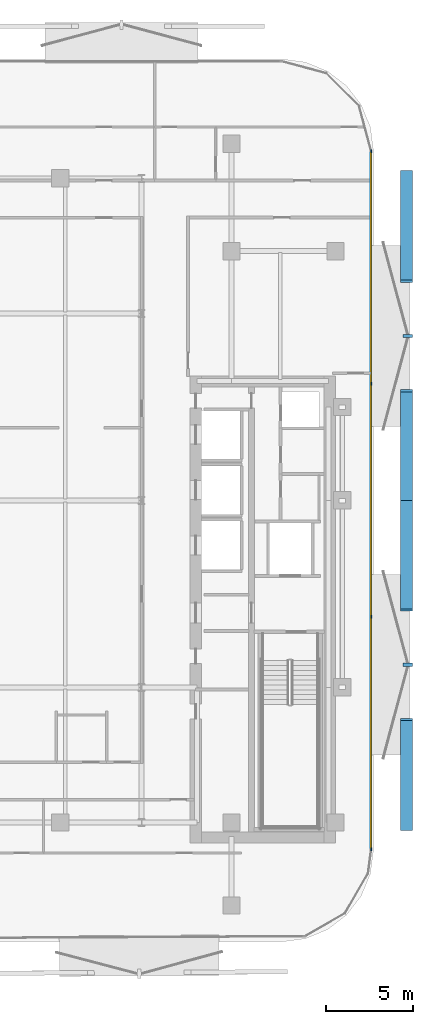
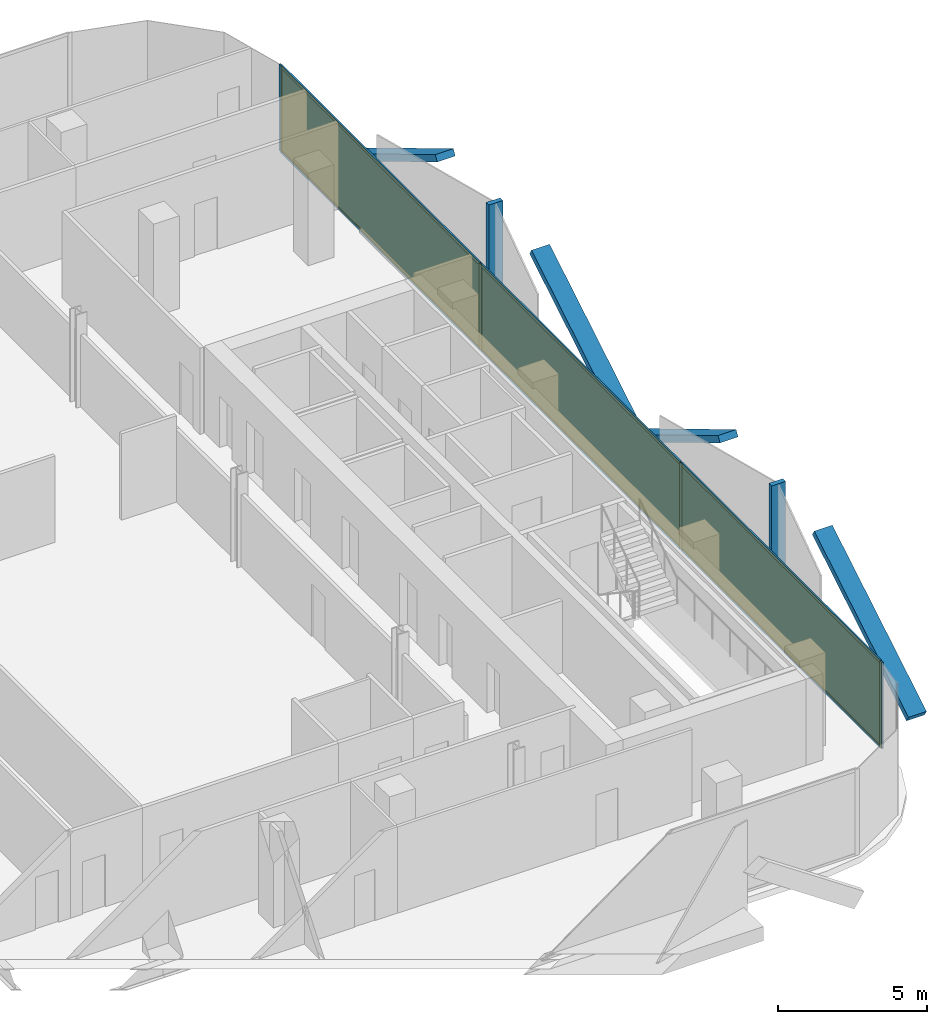
# One storey, part 10 of 16: 16 members, 3 plates, 1 curtain wall.
"""IFC4 building model written with IfcOpenShell, lengths in metres."""

from ifc_helpers import new_model, si_unit, direction, frame, frame_2d, origin, origin_2d, place, context, subcontext, project, spatial, rectangle, extrude, material, layer, layer_set, material_profile, profile_set, type_object, element, aggregate, save


model = new_model("IFC4")

# Units and contexts
model_context = context("Model", 3, precision=1e-05, world=origin(), true_north=direction((0.0, 1.0)))
body_context = subcontext(model_context, "Body", "Model", "MODEL_VIEW")
ifc_project = project(units=[si_unit("LENGTHUNIT", "METRE"), si_unit("AREAUNIT", "SQUARE_METRE"), si_unit("VOLUMEUNIT", "CUBIC_METRE"), si_unit("PLANEANGLEUNIT", "RADIAN"), si_unit("MASSUNIT", "GRAM", prefix="KILO")], contexts=[model_context])

# Member
ifc_material_1 = material(Name="Anodised Bronze Aluminium 6063-T6", Category="aluminium")
ifc_material_profile_1 = material_profile(ifc_material_1, rectangle(XDim=0.260009765625, YDim=0.699951171875, at=origin_2d()))
ifc_profile_set_1 = profile_set([ifc_material_profile_1], Name="Anodised Bronze Aluminium 6063-T6")
member_type_1 = type_object("IfcMemberType", Name="Bronze Diamond Solar-Screen Lattice Rib BDL-700", PredefinedType="MULLION", material=ifc_profile_set_1)
site_placement = place(None, origin())
building_placement = place(site_placement, origin())
storey_placement = place(building_placement, frame((0.0, 0.0, 206.800048828125)))
member_1_placement = place(storey_placement, frame((24.5, 18.99072265625, -0.130126953125), z_axis=(0.0, -0.857382035675, 0.514680527027), x_axis=(0.0, -0.514680527027, -0.857382035675)))
member_1 = element("IfcMember", 1, at=member_1_placement, type_object=member_type_1, Name="L48 Bronze Diamond Solar Screen Lattice Rib 327A", PredefinedType="MULLION", context=body_context, shape_type="SweptSolid", body=[
    extrude(rectangle(XDim=0.260009765625, YDim=0.699951171875, at=origin_2d()), origin(), (0.0, 0.0, 1.0), 7.38330078125),
])

member_2_placement = place(storey_placement, frame((24.5, 0.0, -0.130126953125), z_axis=(0.0, 0.857382035675, 0.514680527027), x_axis=(0.0, 0.514680527027, -0.857382035675)))
member_2 = element("IfcMember", 2, at=member_2_placement, type_object=member_type_1, Name="L48 Bronze Diamond Solar Screen Lattice Rib 327B", PredefinedType="MULLION", context=body_context, shape_type="SweptSolid", body=[
    extrude(rectangle(XDim=0.260009765625, YDim=0.699951171875, at=origin_2d()), origin(), (0.0, 0.0, 1.0), 7.38330078125),
])

member_3_placement = place(storey_placement, frame((24.5, 0.0, -0.130126953125), z_axis=(0.0, -0.857382035675, 0.514680527027), x_axis=(0.0, -0.514680527027, -0.857382035675)))
member_3 = element("IfcMember", 3, at=member_3_placement, type_object=member_type_1, Name="L48 Bronze Diamond Solar Screen Lattice Rib 328A", PredefinedType="MULLION", context=body_context, shape_type="SweptSolid", body=[
    extrude(rectangle(XDim=0.260009765625, YDim=0.699951171875, at=origin_2d()), origin(), (0.0, 0.0, 1.0), 7.38330078125),
])

member_4_placement = place(storey_placement, frame((24.5, -18.99072265625, -0.130126953125), z_axis=(0.0, 0.857382035675, 0.514680527027), x_axis=(0.0, 0.514680527027, -0.857382035675)))
member_4 = element("IfcMember", 4, at=member_4_placement, type_object=member_type_1, Name="L48 Bronze Diamond Solar Screen Lattice Rib 328B", PredefinedType="MULLION", context=body_context, shape_type="SweptSolid", body=[
    extrude(rectangle(XDim=0.260009765625, YDim=0.699951171875, at=origin_2d()), origin(), (0.0, 0.0, 1.0), 7.38330078125),
])

ifc_material_2 = material(Name="Anodised Bronze Aluminium 6063-T6", Category="aluminium")
ifc_material_profile_2 = material_profile(ifc_material_2, rectangle(XDim=0.179931640625, YDim=0.5400390625, at=origin_2d()))
ifc_profile_set_2 = profile_set([ifc_material_profile_2], Name="Anodised Bronze Aluminium 6063-T6")
member_type_2 = type_object("IfcMemberType", Name="Bronze Solar-Screen Vertical Fold Fin BSF-540", PredefinedType="MULLION", material=ifc_profile_set_2)
member_5_placement = place(storey_placement, frame((24.580078125, 9.495361328125, -0.130126953125), z_axis=(0.0, 0.0, 1.0), x_axis=(0.0, -1.0, 0.0)))
member_5 = element("IfcMember", 5, at=member_5_placement, type_object=member_type_2, Name="L48 Bronze Solar Screen Vertical Fin 327", PredefinedType="MULLION", context=body_context, shape_type="SweptSolid", body=[
    extrude(rectangle(XDim=0.179931640625, YDim=0.5400390625, at=origin_2d()), origin(), (0.0, 0.0, 1.0), 3.800048828125),
])

member_6_placement = place(storey_placement, frame((24.580078125, -9.495361328125, -0.130126953125), z_axis=(0.0, 0.0, 1.0), x_axis=(0.0, -1.0, 0.0)))
member_6 = element("IfcMember", 6, at=member_6_placement, type_object=member_type_2, Name="L48 Bronze Solar Screen Vertical Fin 328", PredefinedType="MULLION", context=body_context, shape_type="SweptSolid", body=[
    extrude(rectangle(XDim=0.179931640625, YDim=0.5400390625, at=origin_2d()), origin(), (0.0, 0.0, 1.0), 3.800048828125),
])

ifc_material_3 = material(Name="Anodised Bronze Aluminium 6063-T6", Category="aluminium")
ifc_material_profile_3 = material_profile(ifc_material_3, rectangle(XDim=0.06005859375, YDim=0.1650390625, at=origin_2d()))
ifc_profile_set_3 = profile_set([ifc_material_profile_3], Name="Anodised Bronze Aluminium 6063-T6")
member_type_3 = type_object("IfcMemberType", Name="CW-Z3 Mullion 60x165", PredefinedType="MULLION", material=ifc_profile_set_3)
member_7_placement = place(storey_placement, frame((22.4599609375, 20.160888671875, 0.0), z_axis=(0.0, 0.0, 1.0), x_axis=(1.0, 0.0, 0.0)))
member_7 = element("IfcMember", 7, at=member_7_placement, type_object=member_type_3, Name="CW-Z3 mullion 1", PredefinedType="MULLION", context=body_context, shape_type="SweptSolid", body=[
    extrude(rectangle(XDim=0.06005859375, YDim=0.1650390625, at=origin_2d()), origin(), (0.0, 0.0, 1.0), 3.5400390625),
])

member_8_placement = place(storey_placement, frame((22.4599609375, 6.730224609375, 0.0), z_axis=(0.0, 0.0, 1.0), x_axis=(1.0, 0.0, 0.0)))
member_8 = element("IfcMember", 8, at=member_8_placement, type_object=member_type_3, Name="CW-Z3 mullion 2", PredefinedType="MULLION", context=body_context, shape_type="SweptSolid", body=[
    extrude(rectangle(XDim=0.06005859375, YDim=0.1650390625, at=origin_2d()), origin(), (0.0, 0.0, 1.0), 3.5400390625),
])

member_9_placement = place(storey_placement, frame((22.4599609375, -6.730224609375, 0.0), z_axis=(0.0, 0.0, 1.0), x_axis=(1.0, 0.0, 0.0)))
member_9 = element("IfcMember", 9, at=member_9_placement, type_object=member_type_3, Name="CW-Z3 mullion 3", PredefinedType="MULLION", context=body_context, shape_type="SweptSolid", body=[
    extrude(rectangle(XDim=0.06005859375, YDim=0.1650390625, at=origin_2d()), origin(), (0.0, 0.0, 1.0), 3.5400390625),
])

member_10_placement = place(storey_placement, frame((22.4599609375, -20.160888671875, 0.0), z_axis=(0.0, 0.0, 1.0), x_axis=(1.0, 0.0, 0.0)))
member_10 = element("IfcMember", 10, at=member_10_placement, type_object=member_type_3, Name="CW-Z3 mullion 4", PredefinedType="MULLION", context=body_context, shape_type="SweptSolid", body=[
    extrude(rectangle(XDim=0.06005859375, YDim=0.1650390625, at=origin_2d()), origin(), (0.0, 0.0, 1.0), 3.5400390625),
])

ifc_material_4 = material(Name="Anodised Bronze Aluminium 6063-T6", Category="aluminium")
ifc_material_profile_4 = material_profile(ifc_material_4, rectangle(XDim=0.06005859375, YDim=0.1298828125, at=origin_2d()))
ifc_profile_set_4 = profile_set([ifc_material_profile_4], Name="Anodised Bronze Aluminium 6063-T6")
member_type_4 = type_object("IfcMemberType", Name="CW-Z3 Transom 60x130", PredefinedType="USERDEFINED", material=ifc_profile_set_4)
member_11_placement = place(storey_placement, frame((22.4599609375, 20.130859375, 0.030029296875), z_axis=(0.0, -1.0, 0.0), x_axis=(1.0, 0.0, 0.0)))
member_11 = element("IfcMember", 11, at=member_11_placement, type_object=member_type_4, Name="CW-Z3 transom 1.1", ObjectType="TRANSOM", PredefinedType="USERDEFINED", context=body_context, shape_type="SweptSolid", body=[
    extrude(rectangle(XDim=0.06005859375, YDim=0.1298828125, at=origin_2d()), origin(), (0.0, 0.0, 1.0), 13.37060546875),
])

member_12_placement = place(storey_placement, frame((22.4599609375, 20.130859375, 3.510009765625), z_axis=(0.0, -1.0, 0.0), x_axis=(1.0, 0.0, 0.0)))
member_12 = element("IfcMember", 12, at=member_12_placement, type_object=member_type_4, Name="CW-Z3 transom 1.2", ObjectType="TRANSOM", PredefinedType="USERDEFINED", context=body_context, shape_type="SweptSolid", body=[
    extrude(rectangle(XDim=0.06005859375, YDim=0.1298828125, at=origin_2d()), origin(), (0.0, 0.0, 1.0), 13.37060546875),
])

member_13_placement = place(storey_placement, frame((22.4599609375, 6.7001953125, 0.030029296875), z_axis=(0.0, -1.0, 0.0), x_axis=(1.0, 0.0, 0.0)))
member_13 = element("IfcMember", 13, at=member_13_placement, type_object=member_type_4, Name="CW-Z3 transom 2.1", ObjectType="TRANSOM", PredefinedType="USERDEFINED", context=body_context, shape_type="SweptSolid", body=[
    extrude(rectangle(XDim=0.06005859375, YDim=0.1298828125, at=origin_2d()), origin(), (0.0, 0.0, 1.0), 13.400390625),
])

member_14_placement = place(storey_placement, frame((22.4599609375, 6.7001953125, 3.510009765625), z_axis=(0.0, -1.0, 0.0), x_axis=(1.0, 0.0, 0.0)))
member_14 = element("IfcMember", 14, at=member_14_placement, type_object=member_type_4, Name="CW-Z3 transom 2.2", ObjectType="TRANSOM", PredefinedType="USERDEFINED", context=body_context, shape_type="SweptSolid", body=[
    extrude(rectangle(XDim=0.06005859375, YDim=0.1298828125, at=origin_2d()), origin(), (0.0, 0.0, 1.0), 13.400390625),
])

member_15_placement = place(storey_placement, frame((22.4599609375, -6.76025390625, 0.030029296875), z_axis=(0.0, -1.0, 0.0), x_axis=(1.0, 0.0, 0.0)))
member_15 = element("IfcMember", 15, at=member_15_placement, type_object=member_type_4, Name="CW-Z3 transom 3.1", ObjectType="TRANSOM", PredefinedType="USERDEFINED", context=body_context, shape_type="SweptSolid", body=[
    extrude(rectangle(XDim=0.06005859375, YDim=0.1298828125, at=origin_2d()), origin(), (0.0, 0.0, 1.0), 13.37060546875),
])

member_16_placement = place(storey_placement, frame((22.4599609375, -6.76025390625, 3.510009765625), z_axis=(0.0, -1.0, 0.0), x_axis=(1.0, 0.0, 0.0)))
member_16 = element("IfcMember", 16, at=member_16_placement, type_object=member_type_4, Name="CW-Z3 transom 3.2", ObjectType="TRANSOM", PredefinedType="USERDEFINED", context=body_context, shape_type="SweptSolid", body=[
    extrude(rectangle(XDim=0.06005859375, YDim=0.1298828125, at=origin_2d()), origin(), (0.0, 0.0, 1.0), 13.37060546875),
])

# Plate
ifc_material_5 = material(Name="Low-E Solar Control Laminated Glass", Category="glass")
ifc_layer_1 = layer(ifc_material_5, 0.030029296875, Name="Low-E Solar Control Laminated Glass")
ifc_layer_set_1 = layer_set([ifc_layer_1], Name="Low-E Solar Control Laminated Glass")
plate_type = type_object("IfcPlateType", Name="CW-Z3 Low-E Double Glazed Panel 30mm", PredefinedType="CURTAIN_PANEL", material=ifc_layer_set_1)
plate_1_placement = place(storey_placement, frame((22.4599609375, 13.445556640625, 0.06005859375), z_axis=(0.0, 0.0, 1.0), x_axis=(0.0, -1.0, 0.0)))
plate_1 = element("IfcPlate", 17, at=plate_1_placement, type_object=plate_type, Name="CW-Z3 panel 1.1", PredefinedType="CURTAIN_PANEL", context=body_context, shape_type="SweptSolid", body=[
    extrude(rectangle(XDim=13.37060546875, YDim=0.030029296875, at=origin_2d()), origin(), (0.0, 0.0, 1.0), 3.419921875),
])

plate_2_placement = place(storey_placement, frame((22.4599609375, 0.0, 0.06005859375), z_axis=(0.0, 0.0, 1.0), x_axis=(0.0, -1.0, 0.0)))
plate_2 = element("IfcPlate", 18, at=plate_2_placement, type_object=plate_type, Name="CW-Z3 panel 2.1", PredefinedType="CURTAIN_PANEL", context=body_context, shape_type="SweptSolid", body=[
    extrude(rectangle(XDim=13.400634765625, YDim=0.030029296875, at=origin_2d()), origin(), (0.0, 0.0, 1.0), 3.419921875),
])

plate_3_placement = place(storey_placement, frame((22.4599609375, -13.445556640625, 0.06005859375), z_axis=(0.0, 0.0, 1.0), x_axis=(0.0, -1.0, 0.0)))
plate_3 = element("IfcPlate", 19, at=plate_3_placement, type_object=plate_type, Name="CW-Z3 panel 3.1", PredefinedType="CURTAIN_PANEL", context=body_context, shape_type="SweptSolid", body=[
    extrude(rectangle(XDim=13.37060546875, YDim=0.030029296875, at=origin_2d()), origin(), (0.0, 0.0, 1.0), 3.419921875),
])

# Site, building, storey
site = spatial("IfcSite", under=ifc_project, at=site_placement, CompositionType="ELEMENT")
building = spatial("IfcBuilding", under=site, at=building_placement, Name="Khairoan Windgate Tower", CompositionType="ELEMENT")
storey = spatial("IfcBuildingStorey", under=building, at=storey_placement, Name="L48", CompositionType="ELEMENT", Elevation=206.800048828125)

# Curtain wall
ifc_material_6 = material(Name="Anodised Bronze Aluminium 6063-T6", Category="aluminium")
ifc_layer_2 = layer(ifc_material_6, 0.1650390625, Name="Anodised Bronze Aluminium 6063-T6")
ifc_layer_set_2 = layer_set([ifc_layer_2], Name="Anodised Bronze Aluminium 6063-T6")
curtain_wall_type = type_object("IfcCurtainWallType", Name="Luxury Hotel Acoustic Curtain Wall CW-Z3", PredefinedType="NOTDEFINED", material=ifc_layer_set_2)
curtain_wall_placement = place(storey_placement, frame((22.4599609375, 20.19091796875, 0.0), z_axis=(0.0, 0.0, 1.0), x_axis=(0.0, -1.0, 0.0)))
curtain_wall = element("IfcCurtainWall", 20, at=curtain_wall_placement, inside=storey, type_object=curtain_wall_type, Name="L48 Unitised Curtain Wall 13", PredefinedType="NOTDEFINED", context=body_context, shape_type="SweptSolid", body=[
    extrude(rectangle(XDim=40.3818359375, YDim=0.010009765625, at=frame_2d((20.19091796875, 0.0))), origin(), (0.0, 0.0, 1.0), 3.5400390625),
])

aggregate(curtain_wall, [member_7, member_8, member_9, member_10, member_11, member_12, plate_1, member_13, member_14, plate_2, member_15, member_16, plate_3, member_1, member_2, member_5, member_3, member_4, member_6])

save(model, "model.ifc")
